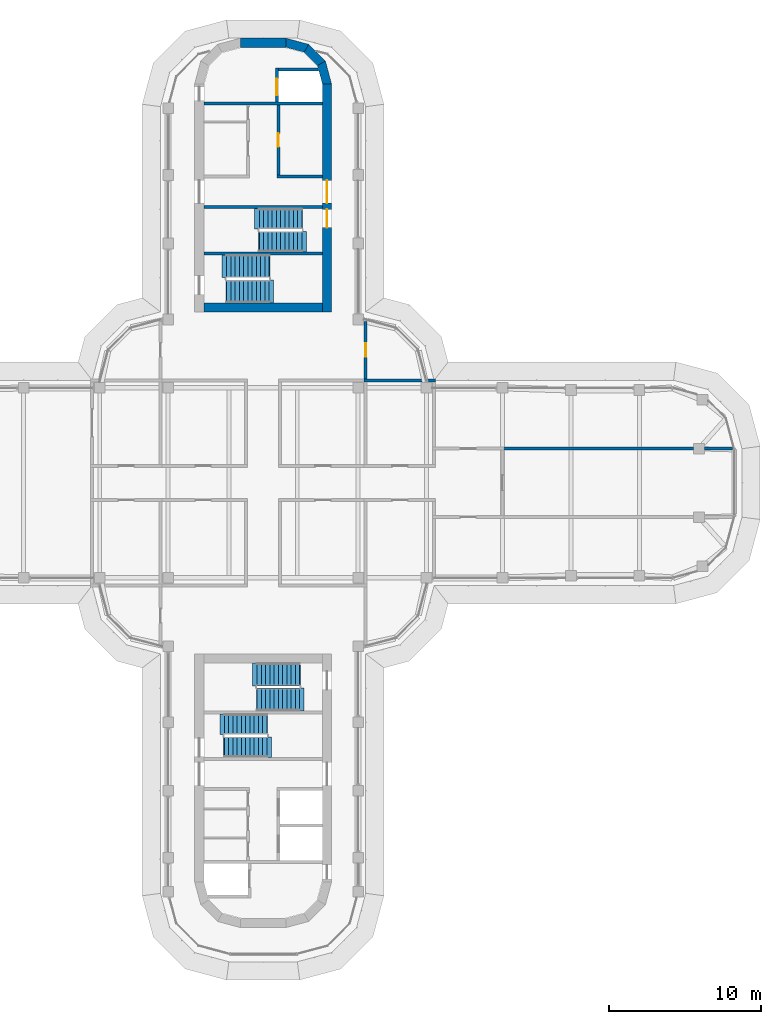
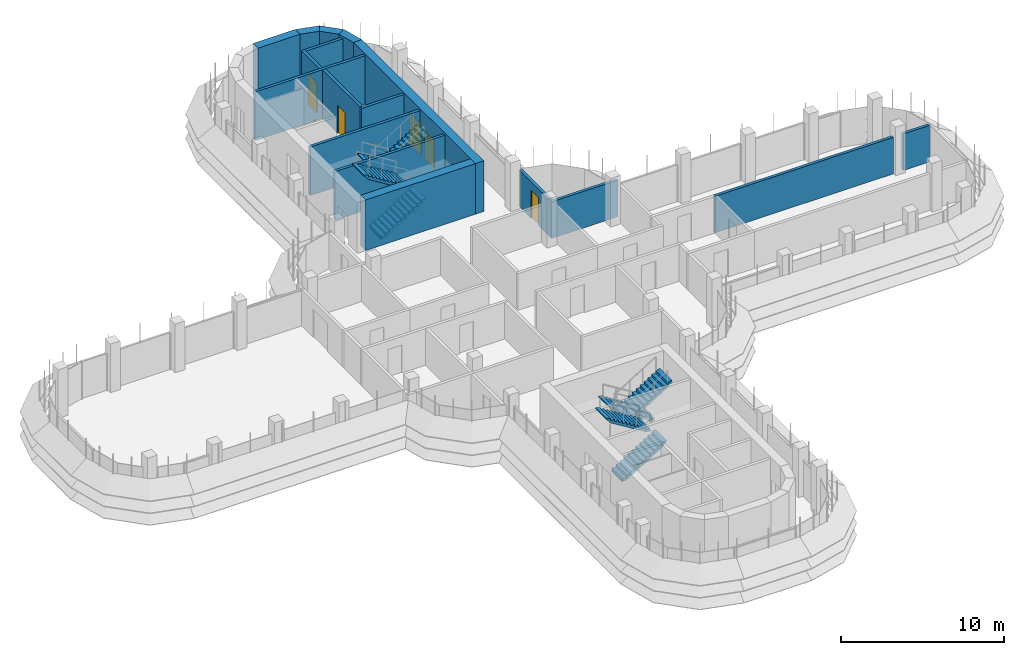
# One storey, part 15 of 19: 17 walls, 8 stair flights, 5 doors, 5 openings, 4 elements without a shape of their own.
"""IFC4 building model written with IfcOpenShell, lengths in metres."""

import ifcopenshell
import ifcopenshell.guid

model = None  # the IFC model being written
_history = None  # IfcOwnerHistory: only IFC2X3 demands one
_inside = {}  # id of a spatial element -> (the spatial element, [elements in it])
_under = {}  # id of a project, library or spatial element -> (it, [spatial elements below it])
_declared = {}  # id of a project -> (the project, [libraries it declares])
_typed = {}  # id of a type object -> (the type object, [elements of that type])
_made_of = {}  # id of a material, layer set ... -> (it, [elements and type objects made of it])


def new_model(schema):
    """Start an empty IFC model of exactly this schema.

    Asked for "IFC4X3", IfcOpenShell would pick the latest addendum, in which some entities
    have other attributes; the version numbers below select the first issue.
    IFC2X3 requires an IfcOwnerHistory on every rooted entity: one is made here for all.
    """
    global model, _history
    if schema == "IFC4X3":
        model = ifcopenshell.file(schema_version=(4, 3, 0, 0))
    else:
        model = ifcopenshell.file(schema=schema)
    _inside.clear()
    _under.clear()
    _declared.clear()
    _typed.clear()
    _made_of.clear()
    _history = None
    if model.schema == "IFC2X3":
        org = make("IfcOrganization", Name="unknown")
        user = make(
            "IfcPersonAndOrganization",
            ThePerson=make("IfcPerson", FamilyName="unknown"),
            TheOrganization=org,
        )
        app = make(
            "IfcApplication",
            ApplicationDeveloper=org,
            Version="unknown",
            ApplicationFullName="unknown",
            ApplicationIdentifier="unknown",
        )
        _history = make(
            "IfcOwnerHistory",
            OwningUser=user,
            OwningApplication=app,
            ChangeAction="ADDED",
            CreationDate=0,
        )
    return model


def make(cls, **values):
    """One entity of the class cls with the attributes given. An attribute that is None is left unset."""
    return model.create_entity(
        cls, **{name: value for name, value in values.items() if value is not None}
    )


def rooted(cls, **values):
    """An entity with a GlobalId (a new one), such as an element, a storey or a relation."""
    return make(cls, GlobalId=ifcopenshell.guid.new(), OwnerHistory=_history, **values)


def si_unit(unit_type, name, prefix=None):
    """IfcSIUnit, for example si_unit("LENGTHUNIT", "METRE", prefix="MILLI")."""
    return make("IfcSIUnit", UnitType=unit_type, Prefix=prefix, Name=name)


def assignment(units):
    """IfcUnitAssignment: the units of a project."""
    return None if units is None else make("IfcUnitAssignment", Units=units)


def point(xyz):
    """IfcCartesianPoint."""
    return None if xyz is None else make("IfcCartesianPoint", Coordinates=xyz)


def direction(xyz):
    """IfcDirection."""
    return None if xyz is None else make("IfcDirection", DirectionRatios=xyz)


def frame(location, z_axis=None, x_axis=None):
    """IfcAxis2Placement3D, a coordinate frame: its origin and axes. An axis left out is left unset."""
    return make(
        "IfcAxis2Placement3D",
        Location=point(location),
        Axis=direction(z_axis),
        RefDirection=direction(x_axis),
    )


def frame_2d(location, x_axis=None):
    """IfcAxis2Placement2D, a coordinate frame in the plane: its origin and x axis."""
    return make(
        "IfcAxis2Placement2D", Location=point(location), RefDirection=direction(x_axis)
    )


def origin():
    """The frame at (0, 0, 0) with its axes left unset."""
    return frame((0.0, 0.0, 0.0))


def place(relative_to, where):
    """IfcLocalPlacement: puts the frame where relative to a parent placement (None: the world)."""
    return make(
        "IfcLocalPlacement", PlacementRelTo=relative_to, RelativePlacement=where
    )


def context(
    kind, dimensions, precision=None, world=None, true_north=None, identifier=None
):
    """IfcGeometricRepresentationContext, for example the 3D "Model" context."""
    return make(
        "IfcGeometricRepresentationContext",
        ContextIdentifier=identifier,
        ContextType=kind,
        CoordinateSpaceDimension=dimensions,
        Precision=precision,
        WorldCoordinateSystem=world,
        TrueNorth=true_north,
    )


def subcontext(parent, identifier, kind, view, scale=None):
    """IfcGeometricRepresentationSubContext, for example "Body" below "Model"."""
    return make(
        "IfcGeometricRepresentationSubContext",
        ContextIdentifier=identifier,
        ContextType=kind,
        ParentContext=parent,
        TargetScale=scale,
        TargetView=view,
    )


def project(units=None, contexts=None):
    """IfcProject with its units and contexts."""
    return rooted(
        "IfcProject",
        Name="project",
        RepresentationContexts=contexts,
        UnitsInContext=assignment(units),
    )


def spatial(cls, under=None, at=None, **own):
    """A site, building, storey or space (cls), placed at a placement, below another one or the project."""
    s = rooted(cls, ObjectPlacement=at, **own)
    if under is not None:
        _under.setdefault(under.id(), (under, []))[1].append(s)
    return s


def polyline(points):
    """IfcPolyline through the points."""
    return make("IfcPolyline", Points=[point(p) for p in points])


def profile(cls, at=None, kind="AREA", **sizes):
    """A parametric profile (cls). Its sizes go by their IFC names, for example OverallWidth=200.0."""
    return make(cls, ProfileType=kind, Position=at, **sizes)


def rectangle(**sizes):
    """IfcRectangleProfileDef."""
    return profile("IfcRectangleProfileDef", **sizes)


def outline(outer, holes=None, kind="AREA"):
    """IfcArbitraryClosedProfileDef: a profile drawn as a closed curve; with holes, ...WithVoids."""
    if holes is None:
        return make("IfcArbitraryClosedProfileDef", ProfileType=kind, OuterCurve=outer)
    return make(
        "IfcArbitraryProfileDefWithVoids",
        ProfileType=kind,
        OuterCurve=outer,
        InnerCurves=holes,
    )


def extrude(swept, where, along, depth):
    """IfcExtrudedAreaSolid: the profile swept, set in the frame where, extruded along a direction by depth."""
    return make(
        "IfcExtrudedAreaSolid",
        SweptArea=swept,
        Position=where,
        ExtrudedDirection=direction(along),
        Depth=depth,
    )


def shape(context_of_items, identifier, shape_type, items):
    """IfcShapeRepresentation: the items that make up one representation, for example the "Body"."""
    return make(
        "IfcShapeRepresentation",
        ContextOfItems=context_of_items,
        RepresentationIdentifier=identifier,
        RepresentationType=shape_type,
        Items=items,
    )


def material(Name=None, Category=None):
    """IfcMaterial."""
    return make("IfcMaterial", Name=Name, Category=Category)


def layer(
    of_material, thickness, ventilated=None, Name=None, Category=None, Priority=None
):
    """IfcMaterialLayer: one layer of a wall or slab, of a material (None: an air gap)."""
    return make(
        "IfcMaterialLayer",
        Material=of_material,
        LayerThickness=thickness,
        IsVentilated=ventilated,
        Name=Name,
        Category=Category,
        Priority=Priority,
    )


def layer_set(layers, Name=None):
    """IfcMaterialLayerSet."""
    return make("IfcMaterialLayerSet", MaterialLayers=layers, LayerSetName=Name)


def made_of(thing, what):
    """Note that an element or type object is made of a material, layer set ...; save() writes the relation."""
    if what is not None:
        _made_of.setdefault(what.id(), (what, []))[1].append(thing)
    return thing


def type_object(cls, material=None, **own):
    """A type object (cls), such as IfcWallType, which elements share."""
    return made_of(rooted(cls, **own), material)


def element(
    cls,
    number,
    at=None,
    inside=None,
    cuts=None,
    type_object=None,
    material=None,
    context=None,
    identifier="Body",
    shape_type=None,
    held_by="IfcProductDefinitionShape",
    body=None,
    shapes=None,
    **own,
):
    """One element of the class cls, such as IfcWall. Its Tag is "e" and its number.

    at: its placement. inside: the storey or other place that contains it. cuts: it is an
    opening in that element (IfcRelVoidsElement). A single representation is given by context,
    identifier, shape_type and body (its items); several are given by shapes. held_by: the class
    of the entity that holds the representations. save() writes the other relations.
    """
    e = rooted(cls, Tag="e%d" % number, ObjectPlacement=at, **own)
    if body is not None:
        shapes = [shape(context, identifier, shape_type, body)]
    if shapes is not None:
        e.Representation = make(held_by, Representations=shapes)
    if inside is not None:
        _inside.setdefault(inside.id(), (inside, []))[1].append(e)
    if cuts is not None:
        rooted(
            "IfcRelVoidsElement", RelatingBuildingElement=cuts, RelatedOpeningElement=e
        )
    if type_object is not None:
        _typed.setdefault(type_object.id(), (type_object, []))[1].append(e)
    return made_of(e, material)


def fill(opening, filler):
    """IfcRelFillsElement: the door or window that sits in an opening."""
    return rooted(
        "IfcRelFillsElement",
        RelatingOpeningElement=opening,
        RelatedBuildingElement=filler,
    )


def aggregate(whole, parts):
    """IfcRelAggregates: a whole, such as a stair, and the parts it consists of."""
    return rooted("IfcRelAggregates", RelatingObject=whole, RelatedObjects=parts)


def save(model, path):
    """Write the relations noted so far, then the file.

    IfcRelAggregates (storeys below a building ...), IfcRelContainedInSpatialStructure (elements
    in a storey), IfcRelDefinesByType, IfcRelAssociatesMaterial and IfcRelDeclares: one each for
    every whole, place, type object, material and project.
    """
    for whole, parts in _under.values():
        aggregate(whole, parts)
    for where, things in _inside.values():
        rooted(
            "IfcRelContainedInSpatialStructure",
            RelatedElements=things,
            RelatingStructure=where,
        )
    for kind, things in _typed.values():
        rooted("IfcRelDefinesByType", RelatedObjects=things, RelatingType=kind)
    for what, things in _made_of.values():
        rooted("IfcRelAssociatesMaterial", RelatedObjects=things, RelatingMaterial=what)
    for by, libraries in _declared.values():
        rooted("IfcRelDeclares", RelatingContext=by, RelatedDefinitions=libraries)
    model.write(path)


model = new_model("IFC4")

# Units and contexts
model_context = context("Model", 3, precision=1e-05, world=origin(), true_north=direction((0.0, 1.0)))
body_context = subcontext(model_context, "Body", "Model", "MODEL_VIEW")
ifc_project = project(units=[si_unit("LENGTHUNIT", "METRE"), si_unit("AREAUNIT", "SQUARE_METRE"), si_unit("VOLUMEUNIT", "CUBIC_METRE"), si_unit("PLANEANGLEUNIT", "RADIAN"), si_unit("MASSUNIT", "GRAM", prefix="KILO")], contexts=[model_context])

# Site, building, storey
site_placement = place(None, origin())
site = spatial("IfcSite", under=ifc_project, at=site_placement, CompositionType="ELEMENT")
building_placement = place(site_placement, origin())
building = spatial("IfcBuilding", under=site, at=building_placement, Name="Zarbagh Exchange Tower", CompositionType="ELEMENT")
storey_placement = place(building_placement, frame((0.0, 0.0, 237.199951171875)))
storey = spatial("IfcBuildingStorey", under=building, at=storey_placement, Name="L58", CompositionType="ELEMENT", Elevation=237.199951171875)

# Wall, opening, door
ifc_material_1 = material(Name="Fire-rated plasterboard partition")
ifc_layer_1 = layer(ifc_material_1, 0.199951171875)
ifc_layer_set_1 = layer_set([ifc_layer_1], Name="RATED PARTITION 200")
wall_type_1 = type_object("IfcWallType", Name="RATED PARTITION 200", PredefinedType="PARTITIONING", material=ifc_layer_set_1)
wall_1_placement = place(storey_placement, frame((6.75, 10.6298828125, 0.0), z_axis=(0.0, 0.0, 1.0), x_axis=(0.0, -1.0, 0.0)))
wall_1 = element("IfcWall", 1, at=wall_1_placement, inside=storey, type_object=wall_type_1, Name="Partition W-2515", PredefinedType="PARTITIONING", context=body_context, shape_type="SweptSolid", body=[
    extrude(rectangle(XDim=3.77978515625, YDim=0.199951171875, at=frame_2d((1.889892578125, 0.0))), origin(), (0.0, 0.0, 1.0), 2.745849609375),
])
opening_1_placement = place(wall_1_placement, frame((1.43994140625, 0.0, 0.0)))
opening_1 = element("IfcOpeningElement", 2, at=opening_1_placement, cuts=wall_1, Name="Opening D-2506", PredefinedType="OPENING", context=body_context, shape_type="SweptSolid", body=[
    extrude(rectangle(XDim=0.89990234375, YDim=2.10009765625, at=frame_2d((0.449951171875, 1.050048828125))), frame((0.0, 0.10986328125, 0.0), z_axis=(0.0, -1.0, 0.0), x_axis=(1.0, 0.0, 0.0)), (0.0, 0.0, 1.0), 0.219970703125),
])
ifc_material_2 = material(Name="Timber door leaf", Category="wood")
door_type_1 = type_object("IfcDoorType", Name="DOOR 900 X 2100", OperationType="NOTDEFINED", PredefinedType="DOOR", material=ifc_material_2)
door_1_placement = place(opening_1_placement, origin())
door_1 = element("IfcDoor", 3, at=door_1_placement, inside=storey, type_object=door_type_1, Name="Door D-2506", OperationType="SINGLE_SWING_RIGHT", OverallHeight=2.10009765625, OverallWidth=0.89990234375, PredefinedType="DOOR", context=body_context, shape_type="SweptSolid", body=[
    extrude(rectangle(XDim=0.89990234375, YDim=2.10009765625, at=frame_2d((0.449951171875, 1.050048828125))), frame((0.0, 0.02490234375, 0.0), z_axis=(0.0, -1.0, 0.0), x_axis=(1.0, 0.0, 0.0)), (0.0, 0.0, 1.0), 0.050048828125),
])
fill(opening_1, door_1)

# Walls
wall_2_placement = place(storey_placement, frame((6.64990234375, 6.75, 0.0), z_axis=(0.0, 0.0, 1.0), x_axis=(1.0, 0.0, 0.0)))
element("IfcWall", 4, at=wall_2_placement, inside=storey, type_object=wall_type_1, Name="Partition W-2523", PredefinedType="PARTITIONING", context=body_context, shape_type="SweptSolid", body=[
    extrude(rectangle(XDim=4.7001953125, YDim=0.199951171875, at=frame_2d((2.35009765625, 0.0))), origin(), (0.0, 0.0, 1.0), 2.745849609375),
])
wall_3_placement = place(storey_placement, frame((15.64990234375, 2.25, 0.0), z_axis=(0.0, 0.0, 1.0), x_axis=(1.0, 0.0, 0.0)))
element("IfcWall", 5, at=wall_3_placement, inside=storey, type_object=wall_type_1, Name="Partition W-2538", PredefinedType="PARTITIONING", context=body_context, shape_type="SweptSolid", body=[
    extrude(rectangle(XDim=12.670166015625, YDim=0.199951171875, at=frame_2d((6.3349609375, 0.0))), origin(), (0.0, 0.0, 1.0), 2.745849609375),
])
wall_4_placement = place(storey_placement, frame((29.02001953125, 2.25, 0.0), z_axis=(0.0, 0.0, 1.0), x_axis=(1.0, 0.0, 0.0)))
element("IfcWall", 6, at=wall_4_placement, inside=storey, type_object=wall_type_1, Name="Partition W-2539", PredefinedType="PARTITIONING", context=body_context, shape_type="SweptSolid", body=[
    extrude(rectangle(XDim=1.85986328125, YDim=0.199951171875, at=frame_2d((0.929931640625, 0.0))), origin(), (0.0, 0.0, 1.0), 2.745849609375),
])
ifc_material_3 = material(Name="Concrete C50/60", Category="concrete")
ifc_layer_2 = layer(ifc_material_3, 0.60009765625)
ifc_layer_set_2 = layer_set([ifc_layer_2], Name="RC core corner wall 600 C50/60")
wall_type_2 = type_object("IfcWallType", Name="RC core corner wall 600 C50/60", PredefinedType="SHEAR", material=ifc_layer_set_2)
wall_5_placement = place(storey_placement, origin())
element("IfcWall", 7, at=wall_5_placement, inside=storey, type_object=wall_type_2, Name="CW8 core N corner E", PredefinedType="SHEAR", context=body_context, shape_type="SweptSolid", body=[
    extrude(outline(polyline([(4.5, 26.25), (4.09814453125, 27.75), (3.57861328125, 27.449951171875), (3.89990234375, 26.25), (4.5, 26.25)])), origin(), (0.0, 0.0, 1.0), 3.800048828125),
])
wall_6_placement = place(storey_placement, origin())
element("IfcWall", 8, at=wall_6_placement, inside=storey, type_object=wall_type_2, Name="CW8 core N corner E", PredefinedType="SHEAR", context=body_context, shape_type="SweptSolid", body=[
    extrude(outline(polyline([(4.09814453125, 27.75), (3.0, 28.84814453125), (2.699951171875, 28.32861328125), (3.57861328125, 27.449951171875), (4.09814453125, 27.75)])), origin(), (0.0, 0.0, 1.0), 3.800048828125),
])
wall_7_placement = place(storey_placement, origin())
element("IfcWall", 9, at=wall_7_placement, inside=storey, type_object=wall_type_2, Name="CW8 core N corner E", PredefinedType="SHEAR", context=body_context, shape_type="SweptSolid", body=[
    extrude(outline(polyline([(3.0, 28.84814453125), (1.5, 29.25), (1.5, 28.64990234375), (2.699951171875, 28.32861328125), (3.0, 28.84814453125)])), origin(), (0.0, 0.0, 1.0), 3.800048828125),
])

# Wall, openings, doors
ifc_layer_3 = layer(ifc_material_3, 0.60009765625)
ifc_layer_set_3 = layer_set([ifc_layer_3], Name="RC core wall 600 C50/60")
wall_type_3 = type_object("IfcWallType", Name="RC core wall 600 C50/60", PredefinedType="SHEAR", material=ifc_layer_set_3)
wall_8_placement = place(storey_placement, frame((4.199951171875, 11.25, 0.0), z_axis=(0.0, 0.0, 1.0), x_axis=(0.0, 1.0, 0.0)))
wall_8 = element("IfcWall", 10, at=wall_8_placement, inside=storey, type_object=wall_type_3, Name="CW7 core N E", PredefinedType="SHEAR", context=body_context, shape_type="SweptSolid", body=[
    extrude(rectangle(XDim=15.0, YDim=0.60009765625, at=frame_2d((7.5, 0.0))), origin(), (0.0, 0.0, 1.0), 3.800048828125),
])
opening_2_placement = place(wall_8_placement, frame((7.14990234375, 0.0, 0.0)))
opening_2 = element("IfcOpeningElement", 11, at=opening_2_placement, cuts=wall_8, Name="Opening CD1-1500", PredefinedType="OPENING", context=body_context, shape_type="SweptSolid", body=[
    extrude(rectangle(XDim=1.5, YDim=2.300048828125, at=frame_2d((0.75, 1.14990234375))), frame((0.0, 0.31005859375, 0.0), z_axis=(0.0, -1.0, 0.0), x_axis=(1.0, 0.0, 0.0)), (0.0, 0.0, 1.0), 0.6201171875),
])
opening_3_placement = place(wall_8_placement, frame((5.550048828125, 0.0, 0.0)))
opening_3 = element("IfcOpeningElement", 12, at=opening_3_placement, cuts=wall_8, Name="Opening SD1-1200", PredefinedType="OPENING", context=body_context, shape_type="SweptSolid", body=[
    extrude(rectangle(XDim=1.199951171875, YDim=2.10009765625, at=frame_2d((0.60009765625, 1.050048828125))), frame((0.0, 0.31005859375, 0.0), z_axis=(0.0, -1.0, 0.0), x_axis=(1.0, 0.0, 0.0)), (0.0, 0.0, 1.0), 0.6201171875),
])
ifc_material_4 = material(Name="Steel", Category="steel")
door_type_2 = type_object("IfcDoorType", Name="Exit stair door 1200 x 2100", OperationType="NOTDEFINED", PredefinedType="DOOR", material=ifc_material_4)
door_2_placement = place(opening_3_placement, origin())
door_2 = element("IfcDoor", 13, at=door_2_placement, inside=storey, type_object=door_type_2, Name="North core stair door ST1", OperationType="SINGLE_SWING_LEFT", OverallHeight=2.10009765625, OverallWidth=1.199951171875, PredefinedType="DOOR", context=body_context, shape_type="SweptSolid", body=[
    extrude(rectangle(XDim=1.199951171875, YDim=2.10009765625, at=frame_2d((0.60009765625, 1.050048828125))), frame((0.0, 0.02490234375, 0.0), z_axis=(0.0, -1.0, 0.0), x_axis=(1.0, 0.0, 0.0)), (0.0, 0.0, 1.0), 0.050048828125),
])
fill(opening_3, door_2)
door_type_3 = type_object("IfcDoorType", Name="Lift lobby double door 1500 x 2300", OperationType="NOTDEFINED", PredefinedType="DOOR", material=ifc_material_4)
door_3_placement = place(opening_2_placement, origin())
door_3 = element("IfcDoor", 14, at=door_3_placement, inside=storey, type_object=door_type_3, Name="North core lift lobby door LOBBY-E", OperationType="DOUBLE_DOOR_SINGLE_SWING", OverallHeight=2.300048828125, OverallWidth=1.5, PredefinedType="DOOR", context=body_context, shape_type="SweptSolid", body=[
    extrude(rectangle(XDim=1.5, YDim=2.300048828125, at=frame_2d((0.75, 1.14990234375))), frame((0.0, 0.02490234375, 0.0), z_axis=(0.0, -1.0, 0.0), x_axis=(1.0, 0.0, 0.0)), (0.0, 0.0, 1.0), 0.050048828125),
])
fill(opening_2, door_3)

# Walls
wall_9_placement = place(storey_placement, frame((-3.89990234375, 11.550048828125, 0.0), z_axis=(0.0, 0.0, 1.0), x_axis=(1.0, 0.0, 0.0)))
element("IfcWall", 15, at=wall_9_placement, inside=storey, type_object=wall_type_3, Name="CW7 core N inner end", PredefinedType="SHEAR", context=body_context, shape_type="SweptSolid", body=[
    extrude(rectangle(XDim=7.7998046875, YDim=0.60009765625, at=frame_2d((3.89990234375, 0.0))), origin(), (0.0, 0.0, 1.0), 3.800048828125),
])
wall_10_placement = place(storey_placement, frame((-1.5, 28.949951171875, 0.0), z_axis=(0.0, 0.0, 1.0), x_axis=(1.0, 0.0, 0.0)))
element("IfcWall", 16, at=wall_10_placement, inside=storey, type_object=wall_type_3, Name="CW7 core N outer end", PredefinedType="SHEAR", context=body_context, shape_type="SweptSolid", body=[
    extrude(rectangle(XDim=3.0, YDim=0.60009765625, at=frame_2d((1.5, 0.0))), origin(), (0.0, 0.0, 1.0), 3.800048828125),
])
ifc_material_5 = material(Name="Dense blockwork", Category="masonry")
ifc_layer_4 = layer(ifc_material_5, 0.199951171875)
ifc_layer_set_4 = layer_set([ifc_layer_4], Name="Shaft wall 200 mm blockwork")
wall_type_4 = type_object("IfcWallType", Name="Shaft wall 200 mm blockwork", PredefinedType="PARTITIONING", material=ifc_layer_set_4)
wall_11_placement = place(storey_placement, frame((0.89990234375, 20.14990234375, 0.0), z_axis=(0.0, 0.0, 1.0), x_axis=(1.0, 0.0, 0.0)))
element("IfcWall", 17, at=wall_11_placement, inside=storey, type_object=wall_type_4, Name="North core shaft wall AB-E", PredefinedType="PARTITIONING", context=body_context, shape_type="SweptSolid", body=[
    extrude(rectangle(XDim=3.0, YDim=0.199951171875, at=frame_2d((1.5, 0.0))), origin(), (0.0, 0.0, 1.0), 3.650146484375),
])

# Wall, opening, door
wall_12_placement = place(storey_placement, frame((1.0, 24.85009765625, 0.0), z_axis=(0.0, 0.0, 1.0), x_axis=(0.0, -1.0, 0.0)))
wall_12 = element("IfcWall", 18, at=wall_12_placement, inside=storey, type_object=wall_type_4, Name="North core shaft wall LW-E", PredefinedType="PARTITIONING", context=body_context, shape_type="SweptSolid", body=[
    extrude(rectangle(XDim=4.60009765625, YDim=0.199951171875, at=frame_2d((2.300048828125, 0.0))), origin(), (0.0, 0.0, 1.0), 3.650146484375),
])
opening_4_placement = place(wall_12_placement, frame((1.85009765625, 0.0, 0.0)))
opening_4 = element("IfcOpeningElement", 19, at=opening_4_placement, cuts=wall_12, Name="Opening CD3-900", PredefinedType="OPENING", context=body_context, shape_type="SweptSolid", body=[
    extrude(rectangle(XDim=0.89990234375, YDim=2.10009765625, at=frame_2d((0.449951171875, 1.050048828125))), frame((0.0, 0.10986328125, 0.0), z_axis=(0.0, -1.0, 0.0), x_axis=(1.0, 0.0, 0.0)), (0.0, 0.0, 1.0), 0.219970703125),
])
door_type_4 = type_object("IfcDoorType", Name="Core room door 900 x 2100", OperationType="NOTDEFINED", PredefinedType="DOOR", material=ifc_material_4)
door_4_placement = place(opening_4_placement, origin())
door_4 = element("IfcDoor", 20, at=door_4_placement, inside=storey, type_object=door_type_4, Name="North core Riser store door RD-E-0", OperationType="SINGLE_SWING_LEFT", OverallHeight=2.10009765625, OverallWidth=0.89990234375, PredefinedType="DOOR", context=body_context, shape_type="SweptSolid", body=[
    extrude(rectangle(XDim=0.89990234375, YDim=2.10009765625, at=frame_2d((0.449951171875, 1.050048828125))), frame((0.0, 0.02490234375, 0.0), z_axis=(0.0, -1.0, 0.0), x_axis=(1.0, 0.0, 0.0)), (0.0, 0.0, 1.0), 0.050048828125),
])
fill(opening_4, door_4)

# Wall
ifc_material_6 = material(Name="Concrete C40/50", Category="concrete")
ifc_layer_5 = layer(ifc_material_6, 0.199951171875)
ifc_layer_set_5 = layer_set([ifc_layer_5], Name="Stair enclosure wall 200 mm RC C40/50")
wall_type_5 = type_object("IfcWallType", Name="Stair enclosure wall 200 mm RC C40/50", PredefinedType="SHEAR", material=ifc_layer_set_5)
wall_13_placement = place(storey_placement, frame((-3.89990234375, 24.949951171875, 0.0), z_axis=(0.0, 0.0, 1.0), x_axis=(1.0, 0.0, 0.0)))
element("IfcWall", 21, at=wall_13_placement, inside=storey, type_object=wall_type_5, Name="North core lift shaft wall FFA", PredefinedType="SHEAR", context=body_context, shape_type="SweptSolid", body=[
    extrude(rectangle(XDim=7.7998046875, YDim=0.199951171875, at=frame_2d((3.89990234375, 0.0))), origin(), (0.0, 0.0, 1.0), 3.650146484375),
])

# Wall, opening, door
wall_14_placement = place(storey_placement, frame((0.89990234375, 27.300048828125, 0.0), z_axis=(0.0, 0.0, 1.0), x_axis=(0.0, -1.0, 0.0)))
wall_14 = element("IfcWall", 22, at=wall_14_placement, inside=storey, type_object=wall_type_5, Name="North core lift shaft wall FFL", PredefinedType="SHEAR", context=body_context, shape_type="SweptSolid", body=[
    extrude(rectangle(XDim=2.25, YDim=0.199951171875, at=frame_2d((1.125, 0.0))), origin(), (0.0, 0.0, 1.0), 3.650146484375),
])
opening_5_placement = place(wall_14_placement, frame((0.699951171875, 0.0, 0.0)))
opening_5 = element("IfcOpeningElement", 23, at=opening_5_placement, cuts=wall_14, Name="Opening LD-1100", PredefinedType="OPENING", context=body_context, shape_type="SweptSolid", body=[
    extrude(rectangle(XDim=1.10009765625, YDim=2.300048828125, at=frame_2d((0.550048828125, 1.14990234375))), frame((0.0, 0.10986328125, 0.0), z_axis=(0.0, -1.0, 0.0), x_axis=(1.0, 0.0, 0.0)), (0.0, 0.0, 1.0), 0.219970703125),
])
ifc_material_7 = material(Name="Stainless steel", Category="steel")
door_type_5 = type_object("IfcDoorType", Name="Lift landing door 1100 x 2300", OperationType="NOTDEFINED", PredefinedType="DOOR", material=ifc_material_7)
door_5_placement = place(opening_5_placement, origin())
door_5 = element("IfcDoor", 24, at=door_5_placement, inside=storey, type_object=door_type_5, Name="North core lift landing door LD-F", OperationType="DOUBLE_DOOR_SLIDING", OverallHeight=2.300048828125, OverallWidth=1.10009765625, PredefinedType="DOOR", context=body_context, shape_type="SweptSolid", body=[
    extrude(rectangle(XDim=1.10009765625, YDim=2.300048828125, at=frame_2d((0.550048828125, 1.14990234375))), frame((0.0, 0.02490234375, 0.0), z_axis=(0.0, -1.0, 0.0), x_axis=(1.0, 0.0, 0.0)), (0.0, 0.0, 1.0), 0.050048828125),
])
fill(opening_5, door_5)

# Walls
wall_15_placement = place(storey_placement, origin())
element("IfcWall", 25, at=wall_15_placement, inside=storey, type_object=wall_type_5, Name="North core lift shaft wall FFX", PredefinedType="SHEAR", context=body_context, shape_type="SweptSolid", body=[
    extrude(outline(polyline([(1.0, 27.10009765625), (3.651123046875, 27.10009765625), (3.597412109375, 27.300048828125), (1.0, 27.300048828125), (1.0, 27.10009765625)])), origin(), (0.0, 0.0, 1.0), 3.650146484375),
])
for number, where, z_axis, x_axis, name in (
    (26, (-3.89990234375, 18.14990234375, 0.0), (0.0, 0.0, 1.0), (1.0, 0.0, 0.0), "North core stair wall BS"),
    (27, (-3.89990234375, 15.10009765625, 0.0), (0.0, 0.0, 1.0), (1.0, 0.0, 0.0), "North core stair wall ST12"),
):
    element("IfcWall", number, at=place(storey_placement, frame(where, z_axis=z_axis, x_axis=x_axis)), inside=storey, type_object=wall_type_5, Name=name, PredefinedType="SHEAR", context=body_context, shape_type="SweptSolid", body=[
        extrude(rectangle(XDim=7.7998046875, YDim=0.199951171875, at=frame_2d((3.89990234375, 0.0))), origin(), (0.0, 0.0, 1.0), 3.650146484375),
    ])

# Stair, stair flights
stair_type = type_object("IfcStairType", Name="Exit stair two-flight half-turn", PredefinedType="HALF_TURN_STAIR", material=ifc_material_6)
stair_1_placement = place(storey_placement, origin())
stair_1 = element("IfcStair", 28, at=stair_1_placement, inside=storey, type_object=stair_type, Name="exit stair ST1", PredefinedType="HALF_TURN_STAIR")
stair_flight_type_1 = type_object("IfcStairFlightType", Name="Stair flight 1350 mm", PredefinedType="STRAIGHT", material=ifc_material_6)
stair_flight_1_placement = place(storey_placement, frame((2.550048828125, 17.375, 0.0), z_axis=(0.0, 0.0, 1.0), x_axis=(-1.0, 0.0, 0.0)))
stair_flight_1 = element("IfcStairFlight", 29, at=stair_flight_1_placement, type_object=stair_flight_type_1, Name="ST1 flight 1", NumberOfRisers=11, NumberOfTreads=10, PredefinedType="STRAIGHT", RiserHeight=0.172727273, TreadLength=0.28, context=body_context, shape_type="SweptSolid", body=[
    extrude(outline(polyline([(-0.050048828125, -0.050048828125), (-0.050048828125, 0.0), (0.0, 0.0), (0.0, 0.172607421875), (0.280029296875, 0.172607421875), (0.280029296875, 0.345458984375), (0.56005859375, 0.345458984375), (0.56005859375, 0.51806640625), (0.840087890625, 0.51806640625), (0.840087890625, 0.69091796875), (1.1201171875, 0.69091796875), (1.1201171875, 0.863525390625), (1.39990234375, 0.863525390625), (1.39990234375, 1.036376953125), (1.679931640625, 1.036376953125), (1.679931640625, 1.208984375), (1.9599609375, 1.208984375), (1.9599609375, 1.3818359375), (2.239990234375, 1.3818359375), (2.239990234375, 1.554443359375), (2.52001953125, 1.554443359375), (2.52001953125, 1.727294921875), (2.800048828125, 1.727294921875), (2.800048828125, 1.89990234375), (3.10009765625, 1.97998046875), (3.10009765625, 1.89990234375), (2.800048828125, 1.551025390625), (0.285400390625, 0.0), (-0.050048828125, -0.050048828125)])), frame((0.0, 0.675048828125, 0.0), z_axis=(0.0, -1.0, 0.0), x_axis=(1.0, 0.0, 0.0)), (0.0, 0.0, 1.0), 1.35009765625),
])
stair_flight_2_placement = place(storey_placement, frame((-0.25, 15.875, 1.900146484375), z_axis=(0.0, 0.0, 1.0), x_axis=(1.0, 0.0, 0.0)))
stair_flight_2 = element("IfcStairFlight", 30, at=stair_flight_2_placement, type_object=stair_flight_type_1, Name="ST1 flight 2", NumberOfRisers=11, NumberOfTreads=10, PredefinedType="STRAIGHT", RiserHeight=0.172727273, TreadLength=0.28, context=body_context, shape_type="SweptSolid", body=[
    extrude(outline(polyline([(-0.050048828125, -0.050048828125), (-0.050048828125, 0.0), (0.0, 0.0), (0.0, 0.172607421875), (0.280029296875, 0.172607421875), (0.280029296875, 0.345458984375), (0.56005859375, 0.345458984375), (0.56005859375, 0.51806640625), (0.840087890625, 0.51806640625), (0.840087890625, 0.69091796875), (1.1201171875, 0.69091796875), (1.1201171875, 0.863525390625), (1.39990234375, 0.863525390625), (1.39990234375, 1.036376953125), (1.679931640625, 1.036376953125), (1.679931640625, 1.208984375), (1.9599609375, 1.208984375), (1.9599609375, 1.3818359375), (2.239990234375, 1.3818359375), (2.239990234375, 1.554443359375), (2.52001953125, 1.554443359375), (2.52001953125, 1.727294921875), (2.800048828125, 1.727294921875), (2.800048828125, 1.89990234375), (3.10009765625, 1.97998046875), (3.10009765625, 1.89990234375), (2.800048828125, 1.551025390625), (0.285400390625, 0.0), (-0.050048828125, -0.050048828125)])), frame((0.0, 0.675048828125, 0.0), z_axis=(0.0, -1.0, 0.0), x_axis=(1.0, 0.0, 0.0)), (0.0, 0.0, 1.0), 1.35009765625),
])
aggregate(stair_1, [stair_flight_1, stair_flight_2])

stair_2_placement = place(storey_placement, origin())
stair_2 = element("IfcStair", 31, at=stair_2_placement, inside=storey, type_object=stair_type, Name="exit stair ST3", PredefinedType="HALF_TURN_STAIR")
stair_flight_3_placement = place(storey_placement, frame((-2.550048828125, -17.375, 0.0), z_axis=(0.0, 0.0, 1.0), x_axis=(1.0, 0.0, 0.0)))
stair_flight_3 = element("IfcStairFlight", 32, at=stair_flight_3_placement, type_object=stair_flight_type_1, Name="ST3 flight 1", NumberOfRisers=11, NumberOfTreads=10, PredefinedType="STRAIGHT", RiserHeight=0.172727273, TreadLength=0.28, context=body_context, shape_type="SweptSolid", body=[
    extrude(outline(polyline([(-0.050048828125, -0.050048828125), (-0.050048828125, 0.0), (0.0, 0.0), (0.0, 0.172607421875), (0.280029296875, 0.172607421875), (0.280029296875, 0.345458984375), (0.56005859375, 0.345458984375), (0.56005859375, 0.51806640625), (0.840087890625, 0.51806640625), (0.840087890625, 0.69091796875), (1.1201171875, 0.69091796875), (1.1201171875, 0.863525390625), (1.39990234375, 0.863525390625), (1.39990234375, 1.036376953125), (1.679931640625, 1.036376953125), (1.679931640625, 1.208984375), (1.9599609375, 1.208984375), (1.9599609375, 1.3818359375), (2.239990234375, 1.3818359375), (2.239990234375, 1.554443359375), (2.52001953125, 1.554443359375), (2.52001953125, 1.727294921875), (2.800048828125, 1.727294921875), (2.800048828125, 1.89990234375), (3.10009765625, 1.97998046875), (3.10009765625, 1.89990234375), (2.800048828125, 1.551025390625), (0.285400390625, 0.0), (-0.050048828125, -0.050048828125)])), frame((0.0, 0.675048828125, 0.0), z_axis=(0.0, -1.0, 0.0), x_axis=(1.0, 0.0, 0.0)), (0.0, 0.0, 1.0), 1.35009765625),
])
stair_flight_4_placement = place(storey_placement, frame((0.25, -15.875, 1.900146484375), z_axis=(0.0, 0.0, 1.0), x_axis=(-1.0, 0.0, 0.0)))
stair_flight_4 = element("IfcStairFlight", 33, at=stair_flight_4_placement, type_object=stair_flight_type_1, Name="ST3 flight 2", NumberOfRisers=11, NumberOfTreads=10, PredefinedType="STRAIGHT", RiserHeight=0.172727273, TreadLength=0.28, context=body_context, shape_type="SweptSolid", body=[
    extrude(outline(polyline([(-0.050048828125, -0.050048828125), (-0.050048828125, 0.0), (0.0, 0.0), (0.0, 0.172607421875), (0.280029296875, 0.172607421875), (0.280029296875, 0.345458984375), (0.56005859375, 0.345458984375), (0.56005859375, 0.51806640625), (0.840087890625, 0.51806640625), (0.840087890625, 0.69091796875), (1.1201171875, 0.69091796875), (1.1201171875, 0.863525390625), (1.39990234375, 0.863525390625), (1.39990234375, 1.036376953125), (1.679931640625, 1.036376953125), (1.679931640625, 1.208984375), (1.9599609375, 1.208984375), (1.9599609375, 1.3818359375), (2.239990234375, 1.3818359375), (2.239990234375, 1.554443359375), (2.52001953125, 1.554443359375), (2.52001953125, 1.727294921875), (2.800048828125, 1.727294921875), (2.800048828125, 1.89990234375), (3.10009765625, 1.97998046875), (3.10009765625, 1.89990234375), (2.800048828125, 1.551025390625), (0.285400390625, 0.0), (-0.050048828125, -0.050048828125)])), frame((0.0, 0.675048828125, 0.0), z_axis=(0.0, -1.0, 0.0), x_axis=(1.0, 0.0, 0.0)), (0.0, 0.0, 1.0), 1.35009765625),
])
aggregate(stair_2, [stair_flight_3, stair_flight_4])

stair_3_placement = place(storey_placement, origin())
stair_3 = element("IfcStair", 34, at=stair_3_placement, inside=storey, type_object=stair_type, Name="exit stair ST2", PredefinedType="HALF_TURN_STAIR")
stair_flight_type_2 = type_object("IfcStairFlightType", Name="Stair flight 1500 mm", PredefinedType="STRAIGHT", material=ifc_material_6)
stair_flight_5_placement = place(storey_placement, frame((-2.39990234375, 12.60009765625, 0.0), z_axis=(0.0, 0.0, 1.0), x_axis=(1.0, 0.0, 0.0)))
stair_flight_5 = element("IfcStairFlight", 35, at=stair_flight_5_placement, type_object=stair_flight_type_2, Name="ST2 flight 1", NumberOfRisers=11, NumberOfTreads=10, PredefinedType="STRAIGHT", RiserHeight=0.172727273, TreadLength=0.28, context=body_context, shape_type="SweptSolid", body=[
    extrude(outline(polyline([(-0.050048828125, -0.050048828125), (-0.050048828125, 0.0), (0.0, 0.0), (0.0, 0.172607421875), (0.280029296875, 0.172607421875), (0.280029296875, 0.345458984375), (0.56005859375, 0.345458984375), (0.56005859375, 0.51806640625), (0.840087890625, 0.51806640625), (0.840087890625, 0.69091796875), (1.1201171875, 0.69091796875), (1.1201171875, 0.863525390625), (1.39990234375, 0.863525390625), (1.39990234375, 1.036376953125), (1.679931640625, 1.036376953125), (1.679931640625, 1.208984375), (1.9599609375, 1.208984375), (1.9599609375, 1.3818359375), (2.239990234375, 1.3818359375), (2.239990234375, 1.554443359375), (2.52001953125, 1.554443359375), (2.52001953125, 1.727294921875), (2.800048828125, 1.727294921875), (2.800048828125, 1.89990234375), (3.10009765625, 1.97998046875), (3.10009765625, 1.89990234375), (2.800048828125, 1.551025390625), (0.285400390625, 0.0), (-0.050048828125, -0.050048828125)])), frame((0.0, 0.75, 0.0), z_axis=(0.0, -1.0, 0.0), x_axis=(1.0, 0.0, 0.0)), (0.0, 0.0, 1.0), 1.5),
])
stair_flight_6_placement = place(storey_placement, frame((0.39990234375, 14.25, 1.900146484375), z_axis=(0.0, 0.0, 1.0), x_axis=(-1.0, 0.0, 0.0)))
stair_flight_6 = element("IfcStairFlight", 36, at=stair_flight_6_placement, type_object=stair_flight_type_2, Name="ST2 flight 2", NumberOfRisers=11, NumberOfTreads=10, PredefinedType="STRAIGHT", RiserHeight=0.172727273, TreadLength=0.28, context=body_context, shape_type="SweptSolid", body=[
    extrude(outline(polyline([(-0.050048828125, -0.050048828125), (-0.050048828125, 0.0), (0.0, 0.0), (0.0, 0.172607421875), (0.280029296875, 0.172607421875), (0.280029296875, 0.345458984375), (0.56005859375, 0.345458984375), (0.56005859375, 0.51806640625), (0.840087890625, 0.51806640625), (0.840087890625, 0.69091796875), (1.1201171875, 0.69091796875), (1.1201171875, 0.863525390625), (1.39990234375, 0.863525390625), (1.39990234375, 1.036376953125), (1.679931640625, 1.036376953125), (1.679931640625, 1.208984375), (1.9599609375, 1.208984375), (1.9599609375, 1.3818359375), (2.239990234375, 1.3818359375), (2.239990234375, 1.554443359375), (2.52001953125, 1.554443359375), (2.52001953125, 1.727294921875), (2.800048828125, 1.727294921875), (2.800048828125, 1.89990234375), (3.10009765625, 1.97998046875), (3.10009765625, 1.89990234375), (2.800048828125, 1.551025390625), (0.285400390625, 0.0), (-0.050048828125, -0.050048828125)])), frame((0.0, 0.75, 0.0), z_axis=(0.0, -1.0, 0.0), x_axis=(1.0, 0.0, 0.0)), (0.0, 0.0, 1.0), 1.5),
])
aggregate(stair_3, [stair_flight_5, stair_flight_6])

stair_4_placement = place(storey_placement, origin())
stair_4 = element("IfcStair", 37, at=stair_4_placement, inside=storey, type_object=stair_type, Name="exit stair ST4", PredefinedType="HALF_TURN_STAIR")
stair_flight_7_placement = place(storey_placement, frame((2.39990234375, -12.60009765625, 0.0), z_axis=(0.0, 0.0, 1.0), x_axis=(-1.0, 0.0, 0.0)))
stair_flight_7 = element("IfcStairFlight", 38, at=stair_flight_7_placement, type_object=stair_flight_type_2, Name="ST4 flight 1", NumberOfRisers=11, NumberOfTreads=10, PredefinedType="STRAIGHT", RiserHeight=0.172727273, TreadLength=0.28, context=body_context, shape_type="SweptSolid", body=[
    extrude(outline(polyline([(-0.050048828125, -0.050048828125), (-0.050048828125, 0.0), (0.0, 0.0), (0.0, 0.172607421875), (0.280029296875, 0.172607421875), (0.280029296875, 0.345458984375), (0.56005859375, 0.345458984375), (0.56005859375, 0.51806640625), (0.840087890625, 0.51806640625), (0.840087890625, 0.69091796875), (1.1201171875, 0.69091796875), (1.1201171875, 0.863525390625), (1.39990234375, 0.863525390625), (1.39990234375, 1.036376953125), (1.679931640625, 1.036376953125), (1.679931640625, 1.208984375), (1.9599609375, 1.208984375), (1.9599609375, 1.3818359375), (2.239990234375, 1.3818359375), (2.239990234375, 1.554443359375), (2.52001953125, 1.554443359375), (2.52001953125, 1.727294921875), (2.800048828125, 1.727294921875), (2.800048828125, 1.89990234375), (3.10009765625, 1.97998046875), (3.10009765625, 1.89990234375), (2.800048828125, 1.551025390625), (0.285400390625, 0.0), (-0.050048828125, -0.050048828125)])), frame((0.0, 0.75, 0.0), z_axis=(0.0, -1.0, 0.0), x_axis=(1.0, 0.0, 0.0)), (0.0, 0.0, 1.0), 1.5),
])
stair_flight_8_placement = place(storey_placement, frame((-0.39990234375, -14.25, 1.900146484375), z_axis=(0.0, 0.0, 1.0), x_axis=(1.0, 0.0, 0.0)))
stair_flight_8 = element("IfcStairFlight", 39, at=stair_flight_8_placement, type_object=stair_flight_type_2, Name="ST4 flight 2", NumberOfRisers=11, NumberOfTreads=10, PredefinedType="STRAIGHT", RiserHeight=0.172727273, TreadLength=0.28, context=body_context, shape_type="SweptSolid", body=[
    extrude(outline(polyline([(-0.050048828125, -0.050048828125), (-0.050048828125, 0.0), (0.0, 0.0), (0.0, 0.172607421875), (0.280029296875, 0.172607421875), (0.280029296875, 0.345458984375), (0.56005859375, 0.345458984375), (0.56005859375, 0.51806640625), (0.840087890625, 0.51806640625), (0.840087890625, 0.69091796875), (1.1201171875, 0.69091796875), (1.1201171875, 0.863525390625), (1.39990234375, 0.863525390625), (1.39990234375, 1.036376953125), (1.679931640625, 1.036376953125), (1.679931640625, 1.208984375), (1.9599609375, 1.208984375), (1.9599609375, 1.3818359375), (2.239990234375, 1.3818359375), (2.239990234375, 1.554443359375), (2.52001953125, 1.554443359375), (2.52001953125, 1.727294921875), (2.800048828125, 1.727294921875), (2.800048828125, 1.89990234375), (3.10009765625, 1.97998046875), (3.10009765625, 1.89990234375), (2.800048828125, 1.551025390625), (0.285400390625, 0.0), (-0.050048828125, -0.050048828125)])), frame((0.0, 0.75, 0.0), z_axis=(0.0, -1.0, 0.0), x_axis=(1.0, 0.0, 0.0)), (0.0, 0.0, 1.0), 1.5),
])
aggregate(stair_4, [stair_flight_7, stair_flight_8])

save(model, "model.ifc")
